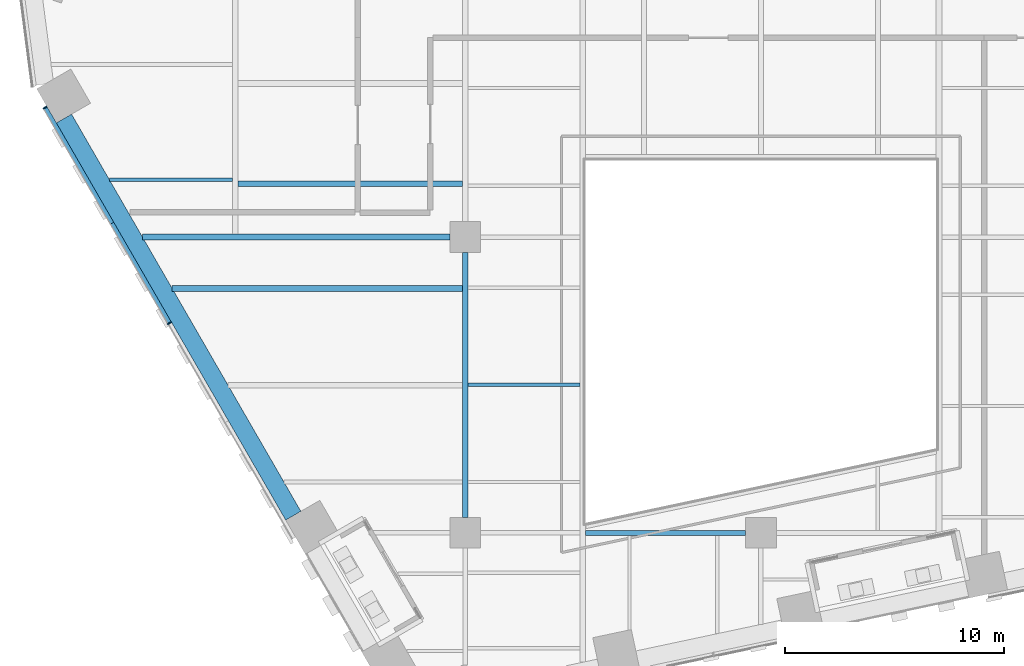
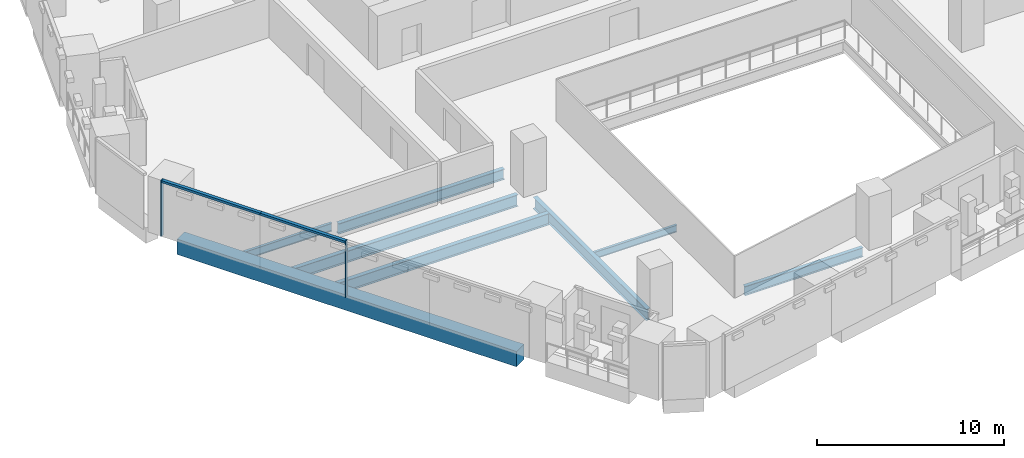
# One storey, part 3 of 31: 8 beams, 4 members, 1 element without a shape of its own.
"""IFC4 building model written with IfcOpenShell, lengths in metres."""

from ifc_helpers import new_model, si_unit, direction, frame, origin, origin_2d, place, context, subcontext, project, spatial, rectangle, i_section, extrude, material, layer, layer_set, material_profile, profile_set, type_object, element, aggregate, save


model = new_model("IFC4")

# Units and contexts
model_context = context("Model", 3, precision=1e-05, world=origin(), true_north=direction((0.0, 1.0)))
body_context = subcontext(model_context, "Body", "Model", "MODEL_VIEW")
ifc_project = project(units=[si_unit("LENGTHUNIT", "METRE"), si_unit("AREAUNIT", "SQUARE_METRE"), si_unit("VOLUMEUNIT", "CUBIC_METRE"), si_unit("PLANEANGLEUNIT", "RADIAN"), si_unit("MASSUNIT", "GRAM", prefix="KILO")], contexts=[model_context])

# Site, building, storey
site_placement = place(None, origin())
site = spatial("IfcSite", under=ifc_project, at=site_placement, CompositionType="ELEMENT")
building_placement = place(site_placement, origin())
building = spatial("IfcBuilding", under=site, at=building_placement, Name="Isthmus Gate Tower", CompositionType="ELEMENT")
storey_placement = place(building_placement, frame((0.0, 0.0, 39.64990234375)))
storey = spatial("IfcBuildingStorey", under=building, at=storey_placement, Name="L07", CompositionType="ELEMENT", Elevation=39.64990234375)

# Curtain wall, members
ifc_material_1 = material(Name="Aluminium, pale champagne anodised", Category="aluminium")
ifc_layer = layer(ifc_material_1, 0.199951171875)
ifc_layer_set = layer_set([ifc_layer], Name="CW-1 UNITISED CURTAIN WALL 200 DEEP")
curtain_wall_type = type_object("IfcCurtainWallType", Name="CW-1 UNITISED CURTAIN WALL 200 DEEP", PredefinedType="NOTDEFINED", material=ifc_layer_set)
curtain_wall_placement = place(storey_placement, origin())
curtain_wall = element("IfcCurtainWall", 1, at=curtain_wall_placement, inside=storey, type_object=curtain_wall_type, Name="CW-1 SW L07", PredefinedType="NOTDEFINED")
ifc_material_2 = material(Name="Aluminium, pale champagne anodised", Category="aluminium")
ifc_material_profile_1 = material_profile(ifc_material_2, rectangle(XDim=0.06005859375, YDim=0.199951171875, at=origin_2d()), Name="60x200")
ifc_profile_set_1 = profile_set([ifc_material_profile_1], Name="Aluminium, pale champagne anodised")
member_type_1 = type_object("IfcMemberType", Name="CW-1 MULLION 60 X 200", PredefinedType="MULLION", material=ifc_profile_set_1)
member_1_placement = place(storey_placement, frame((-32.685302734375, -7.58740234375, 0.0), z_axis=(0.0, 0.0, 1.0), x_axis=(0.5, -0.866025403784, 0.0)))
member_1 = element("IfcMember", 2, at=member_1_placement, type_object=member_type_1, Name="CW-1 mullion", PredefinedType="MULLION", context=body_context, shape_type="SweptSolid", body=[
    extrude(rectangle(XDim=0.06005859375, YDim=0.199951171875, at=origin_2d()), origin(), (0.0, 0.0, 1.0), 3.650146484375),
])
member_2_placement = place(storey_placement, frame((-27.001708984375, -17.431640625, 0.0), z_axis=(0.0, 0.0, 1.0), x_axis=(0.5, -0.866025403784, 0.0)))
member_2 = element("IfcMember", 3, at=member_2_placement, type_object=member_type_1, Name="CW-1 mullion", PredefinedType="MULLION", context=body_context, shape_type="SweptSolid", body=[
    extrude(rectangle(XDim=0.06005859375, YDim=0.199951171875, at=origin_2d()), origin(), (0.0, 0.0, 1.0), 3.650146484375),
])
ifc_material_3 = material(Name="Aluminium, pale champagne anodised", Category="aluminium")
ifc_material_profile_2 = material_profile(ifc_material_3, rectangle(XDim=0.199951171875, YDim=0.14990234375, at=origin_2d()), Name="200x150")
ifc_profile_set_2 = profile_set([ifc_material_profile_2], Name="Aluminium, pale champagne anodised")
member_type_2 = type_object("IfcMemberType", Name="CW-1 TRANSOM 200 X 150", PredefinedType="USERDEFINED", material=ifc_profile_set_2)
member_3_placement = place(storey_placement, frame((-32.67041015625, -7.61328125, 3.5751953125), z_axis=(0.49999965181, -0.866025604812, 0.0), x_axis=(0.866025604812, 0.49999965181, 0.0)))
member_3 = element("IfcMember", 4, at=member_3_placement, type_object=member_type_2, Name="CW-1 transom", ObjectType="TRANSOM", PredefinedType="USERDEFINED", context=body_context, shape_type="SweptSolid", body=[
    extrude(rectangle(XDim=0.199951171875, YDim=0.14990234375, at=origin_2d()), origin(), (0.0, 0.0, 1.0), 6.07373046875),
])
member_4_placement = place(storey_placement, frame((-29.633544921875, -12.873291015625, 3.5751953125), z_axis=(0.500017221754, -0.866015460572, 0.0), x_axis=(0.866015460572, 0.500017221754, 0.0)))
member_4 = element("IfcMember", 5, at=member_4_placement, type_object=member_type_2, Name="CW-1 transom", ObjectType="TRANSOM", PredefinedType="USERDEFINED", context=body_context, shape_type="SweptSolid", body=[
    extrude(rectangle(XDim=0.199951171875, YDim=0.14990234375, at=origin_2d()), origin(), (0.0, 0.0, 1.0), 5.233642578125),
])
aggregate(curtain_wall, [member_1, member_3, member_4, member_2])

# Beams
ifc_material_4 = material(Name="Concrete f'c 70 MPa", Category="concrete")
ifc_material_profile_3 = material_profile(ifc_material_4, rectangle(XDim=0.800048828125, YDim=1.0, at=origin_2d()), Name="RC 800X1000")
ifc_profile_set_3 = profile_set([ifc_material_profile_3], Name="Concrete f'c 70 MPa")
beam_type_1 = type_object("IfcBeamType", Name="RC SPANDREL 800 X 1000", PredefinedType="SPANDREL", material=ifc_profile_set_3)
beam_1_placement = place(storey_placement, frame((-21.35009765625, -26.220458984375, -0.5), z_axis=(-0.500004778811, 0.866022644719, 0.0), x_axis=(-0.866022644719, -0.500004778811, 0.0)))
element("IfcBeam", 6, at=beam_1_placement, inside=storey, type_object=beam_type_1, Name="str-spandrel-L07-16", PredefinedType="SPANDREL", context=body_context, shape_type="SweptSolid", body=[
    extrude(rectangle(XDim=0.800048828125, YDim=1.0, at=origin_2d()), origin(), (0.0, 0.0, 1.0), 20.934326171875),
])
ifc_material_5 = material(Name="Structural steel ASTM A992 Gr 50", Category="steel")
ifc_material_profile_4 = material_profile(ifc_material_5, i_section(OverallWidth=0.15234375, OverallDepth=0.45068359375, WebThickness=0.0078125, FlangeThickness=0.010986328125, at=origin_2d()), Name="W18X35")
ifc_profile_set_4 = profile_set([ifc_material_profile_4], Name="Structural steel ASTM A992 Gr 50")
beam_type_2 = type_object("IfcBeamType", Name="STEEL FLOOR BEAM W18X35", PredefinedType="JOIST", material=ifc_profile_set_4)
beam_2_placement = place(storey_placement, frame((-13.3681640625, -20.25, -0.375244140625), z_axis=(1.0, 0.0, 0.0), x_axis=(0.0, 1.0, 0.0)))
element("IfcBeam", 7, at=beam_2_placement, inside=storey, type_object=beam_type_2, Name="str-beam-L07-14-01", PredefinedType="JOIST", context=body_context, shape_type="SweptSolid", body=[
    extrude(i_section(OverallWidth=0.15234375, OverallDepth=0.45068359375, WebThickness=0.0078125, FlangeThickness=0.010986328125, at=origin_2d()), origin(), (0.0, 0.0, 1.0), 5.1015625),
])
ifc_material_6 = material(Name="Structural steel ASTM A992 Gr 50", Category="steel")
ifc_material_profile_5 = material_profile(ifc_material_6, i_section(OverallWidth=0.1650390625, OverallDepth=0.52392578125, WebThickness=0.009521484375, FlangeThickness=0.010986328125, at=origin_2d()), Name="W21X44")
ifc_profile_set_5 = profile_set([ifc_material_profile_5], Name="Structural steel ASTM A992 Gr 50")
beam_type_3 = type_object("IfcBeamType", Name="STEEL FLOOR BEAM W21X44", PredefinedType="JOIST", material=ifc_profile_set_5)
beam_3_placement = place(storey_placement, frame((-29.748046875, -10.875, -0.411865234375), z_axis=(1.0, 0.0, 0.0), x_axis=(0.0, 1.0, 0.0)))
element("IfcBeam", 8, at=beam_3_placement, inside=storey, type_object=beam_type_3, Name="str-beam-L07-01-00", PredefinedType="JOIST", context=body_context, shape_type="SweptSolid", body=[
    extrude(i_section(OverallWidth=0.1650390625, OverallDepth=0.52392578125, WebThickness=0.009521484375, FlangeThickness=0.010986328125, at=origin_2d()), origin(), (0.0, 0.0, 1.0), 5.61474609375),
])
ifc_material_7 = material(Name="Structural steel ASTM A992 Gr 50", Category="steel")
ifc_material_profile_6 = material_profile(ifc_material_7, i_section(OverallWidth=0.25390625, OverallDepth=0.679443359375, WebThickness=0.010986328125, FlangeThickness=0.015869140625, at=origin_2d()), Name="W27X84")
ifc_profile_set_6 = profile_set([ifc_material_profile_6], Name="Structural steel ASTM A992 Gr 50")
beam_type_4 = type_object("IfcBeamType", Name="STEEL FLOOR BEAM W27X84", PredefinedType="JOIST", material=ifc_profile_set_6)
beam_4_placement = place(storey_placement, frame((-23.86669921875, -11.07470703125, -0.489501953125), z_axis=(1.0, 0.0, 0.0), x_axis=(0.0, 1.0, 0.0)))
element("IfcBeam", 9, at=beam_4_placement, inside=storey, type_object=beam_type_4, Name="str-beam-L07-08-00", PredefinedType="JOIST", context=body_context, shape_type="SweptSolid", body=[
    extrude(i_section(OverallWidth=0.25390625, OverallDepth=0.679443359375, WebThickness=0.010986328125, FlangeThickness=0.015869140625, at=origin_2d()), origin(), (0.0, 0.0, 1.0), 10.23486328125),
])
ifc_material_8 = material(Name="Structural steel ASTM A992 Gr 50", Category="steel")
ifc_material_profile_7 = material_profile(ifc_material_8, i_section(OverallWidth=0.263427734375, OverallDepth=0.749267578125, WebThickness=0.0126953125, FlangeThickness=0.015869140625, at=origin_2d()), Name="W30X90")
ifc_profile_set_7 = profile_set([ifc_material_profile_7], Name="Structural steel ASTM A992 Gr 50")
beam_type_5 = type_object("IfcBeamType", Name="STEEL FLOOR BEAM W30X90", PredefinedType="JOIST", material=ifc_profile_set_7)
beam_5_placement = place(storey_placement, frame((-26.879150390625, -15.84423828125, -0.524658203125), z_axis=(1.0, 0.0, 0.0), x_axis=(0.0, 1.0, 0.0)))
element("IfcBeam", 10, at=beam_5_placement, inside=storey, type_object=beam_type_5, Name="str-beam-L07-05-02", PredefinedType="JOIST", context=body_context, shape_type="SweptSolid", body=[
    extrude(i_section(OverallWidth=0.263427734375, OverallDepth=0.749267578125, WebThickness=0.0126953125, FlangeThickness=0.015869140625, at=origin_2d()), origin(), (0.0, 0.0, 1.0), 13.247314453125),
])
ifc_material_9 = material(Name="Structural steel ASTM A992 Gr 50", Category="steel")
ifc_material_profile_8 = material_profile(ifc_material_9, i_section(OverallWidth=0.228515625, OverallDepth=0.603271484375, WebThickness=0.010986328125, FlangeThickness=0.014404296875, at=origin_2d()), Name="W24X68")
ifc_profile_set_8 = profile_set([ifc_material_profile_8], Name="Structural steel ASTM A992 Gr 50")
beam_type_6 = type_object("IfcBeamType", Name="STEEL GIRDER W24X68", PredefinedType="BEAM", material=ifc_profile_set_8)
beam_6_placement = place(storey_placement, frame((-8.0, -27.0, -0.451416015625), z_axis=(1.0, 0.0, 0.0), x_axis=(0.0, 1.0, 0.0)))
element("IfcBeam", 11, at=beam_6_placement, inside=storey, type_object=beam_type_6, Name="str-girder-L07-03", PredefinedType="BEAM", context=body_context, shape_type="SweptSolid", body=[
    extrude(i_section(OverallWidth=0.228515625, OverallDepth=0.603271484375, WebThickness=0.010986328125, FlangeThickness=0.014404296875, at=origin_2d()), origin(), (0.0, 0.0, 1.0), 7.300048828125),
])
ifc_material_10 = material(Name="Structural steel ASTM A992 Gr 50", Category="steel")
ifc_material_profile_9 = material_profile(ifc_material_10, i_section(OverallWidth=0.2666015625, OverallDepth=0.7587890625, WebThickness=0.014404296875, FlangeThickness=0.01904296875, at=origin_2d()), Name="W30X108")
ifc_profile_set_9 = profile_set([ifc_material_profile_9], Name="Structural steel ASTM A992 Gr 50")
beam_type_7 = type_object("IfcBeamType", Name="STEEL GIRDER W30X108", PredefinedType="BEAM", material=ifc_profile_set_9)
beam_7_placement = place(storey_placement, frame((-28.232421875, -13.5, -0.529296875), z_axis=(1.0, 0.0, 0.0), x_axis=(0.0, 1.0, 0.0)))
element("IfcBeam", 12, at=beam_7_placement, inside=storey, type_object=beam_type_7, Name="str-girder-L07-05", PredefinedType="BEAM", context=body_context, shape_type="SweptSolid", body=[
    extrude(i_section(OverallWidth=0.2666015625, OverallDepth=0.7587890625, WebThickness=0.014404296875, FlangeThickness=0.01904296875, at=origin_2d()), origin(), (0.0, 0.0, 1.0), 14.032470703125),
])
ifc_material_11 = material(Name="Structural steel ASTM A992 Gr 50", Category="steel")
ifc_material_profile_10 = material_profile(ifc_material_11, i_section(OverallWidth=0.263427734375, OverallDepth=0.749267578125, WebThickness=0.0126953125, FlangeThickness=0.015869140625, at=origin_2d()), Name="W30X90")
ifc_profile_set_10 = profile_set([ifc_material_profile_10], Name="Structural steel ASTM A992 Gr 50")
beam_type_8 = type_object("IfcBeamType", Name="STEEL GIRDER W30X90", PredefinedType="BEAM", material=ifc_profile_set_10)
beam_8_placement = place(storey_placement, frame((-13.5, -26.300048828125, -0.524658203125), z_axis=(0.0, 1.0, 0.0), x_axis=(-1.0, 0.0, 0.0)))
element("IfcBeam", 13, at=beam_8_placement, inside=storey, type_object=beam_type_8, Name="str-girder-L07-24", PredefinedType="BEAM", context=body_context, shape_type="SweptSolid", body=[
    extrude(i_section(OverallWidth=0.263427734375, OverallDepth=0.749267578125, WebThickness=0.0126953125, FlangeThickness=0.015869140625, at=origin_2d()), origin(), (0.0, 0.0, 1.0), 12.10009765625),
])

save(model, "model.ifc")
